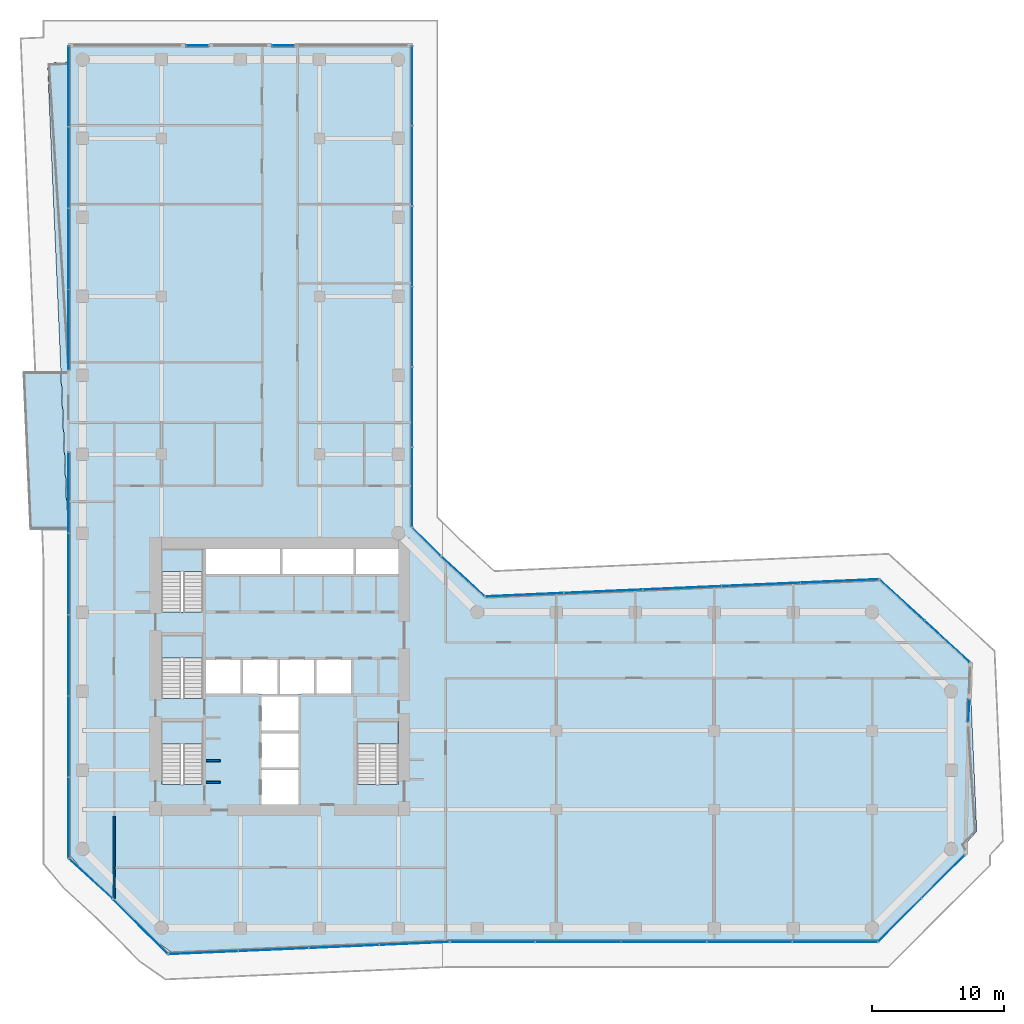
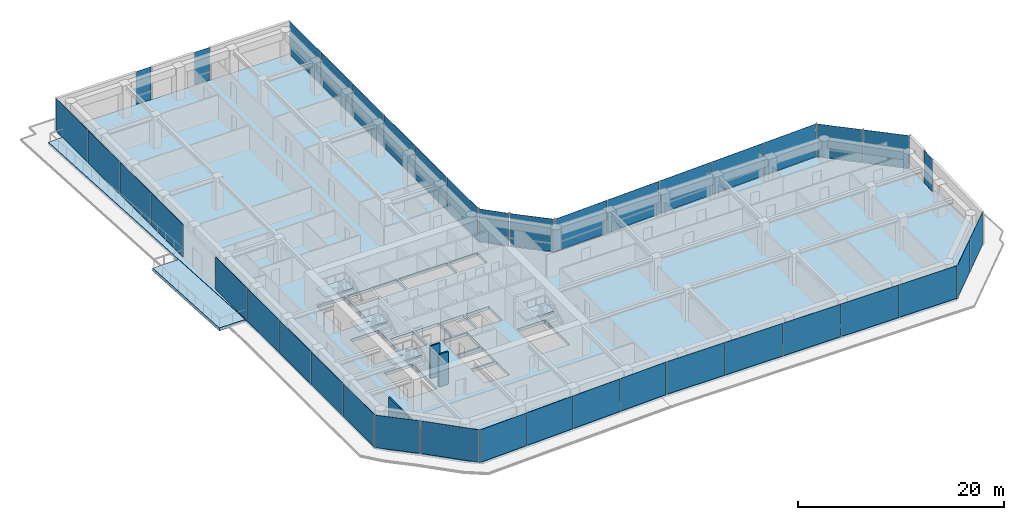
# One storey, part 22 of 29: 40 plates, 6 slabs, 4 walls, 19 elements without a shape of their own.
"""IFC4 building model written with IfcOpenShell, lengths in metres."""

from ifc_helpers import new_model, si_unit, direction, frame, frame_2d, origin, origin_2d, place, context, subcontext, project, spatial, polyline, rectangle, outline, extrude, material, layer, layer_set, type_object, element, aggregate, save


model = new_model("IFC4")

# Units and contexts
model_context = context("Model", 3, precision=1e-05, world=origin(), true_north=direction((0.0, 1.0)))
body_context = subcontext(model_context, "Body", "Model", "MODEL_VIEW")
ifc_project = project(units=[si_unit("LENGTHUNIT", "METRE"), si_unit("AREAUNIT", "SQUARE_METRE"), si_unit("VOLUMEUNIT", "CUBIC_METRE"), si_unit("PLANEANGLEUNIT", "RADIAN"), si_unit("MASSUNIT", "GRAM", prefix="KILO")], contexts=[model_context])

# Site, building, storey
site_placement = place(None, origin())
site = spatial("IfcSite", under=ifc_project, at=site_placement, CompositionType="ELEMENT")
building_placement = place(site_placement, origin())
building = spatial("IfcBuilding", under=site, at=building_placement, Name="Welwitschia Terrace Campus", CompositionType="ELEMENT")
storey_placement = place(building_placement, frame((0.0, 0.0, 62.60009765625)))
storey = spatial("IfcBuildingStorey", under=building, at=storey_placement, Name="L14", CompositionType="ELEMENT", Elevation=62.60009765625)

# Curtain wall, plate
ifc_material_1 = material(Name="Bronze anodised aluminium", Category="aluminium")
ifc_layer_1 = layer(ifc_material_1, 0.1201171875)
ifc_layer_set_1 = layer_set([ifc_layer_1], Name="Bronze anodised aluminium")
curtain_wall_type = type_object("IfcCurtainWallType", Name="Curtain wall CW2 tower 6000", PredefinedType="NOTDEFINED", material=ifc_layer_set_1)
curtain_wall_1_placement = place(storey_placement, origin())
curtain_wall_1 = element("IfcCurtainWall", 1, at=curtain_wall_1_placement, inside=storey, type_object=curtain_wall_type, Name="CW L14.0.0", PredefinedType="NOTDEFINED")
ifc_material_2 = material(Name="Tinted bronze-grey glass", Category="glass")
ifc_layer_2 = layer(ifc_material_2, 0.028076171875)
ifc_layer_set_2 = layer_set([ifc_layer_2], Name="Tinted bronze-grey glass")
plate_type = type_object("IfcPlateType", Name="Glass panel 28 tinted", PredefinedType="CURTAIN_PANEL", material=ifc_layer_set_2)
plate_1_placement = place(storey_placement, frame((0.621337890625, -0.258056640625, -0.000244140625), z_axis=(0.0, 0.0, 1.0), x_axis=(0.73727733681, -0.675590207616, 0.0)))
plate_1 = element("IfcPlate", 2, at=plate_1_placement, type_object=plate_type, Name="Panel L14.0.0.0", PredefinedType="CURTAIN_PANEL", context=body_context, shape_type="SweptSolid", body=[
    extrude(rectangle(XDim=4.435302734375, YDim=0.028076171875, at=origin_2d()), origin(), (0.0, 0.0, 1.0), 3.85009765625),
])
aggregate(curtain_wall_1, [plate_1])

curtain_wall_2_placement = place(storey_placement, origin())
curtain_wall_2 = element("IfcCurtainWall", 3, at=curtain_wall_2_placement, inside=storey, type_object=curtain_wall_type, Name="CW L14.1.0", PredefinedType="NOTDEFINED")
plate_2_placement = place(storey_placement, frame((4.398681640625, -3.894775390625, -0.000244140625), z_axis=(0.0, 0.0, 1.0), x_axis=(0.707106781187, -0.707106781187, 0.0)))
plate_2 = element("IfcPlate", 4, at=plate_2_placement, type_object=plate_type, Name="Panel L14.1.0.0", PredefinedType="CURTAIN_PANEL", context=body_context, shape_type="SweptSolid", body=[
    extrude(rectangle(XDim=5.814208984375, YDim=0.028076171875, at=origin_2d()), origin(), (0.0, 0.0, 1.0), 3.85009765625),
])
aggregate(curtain_wall_2, [plate_2])

# Curtain wall, plates
curtain_wall_3_placement = place(storey_placement, origin())
curtain_wall_3 = element("IfcCurtainWall", 5, at=curtain_wall_3_placement, inside=storey, type_object=curtain_wall_type, Name="CW L14.2.0", PredefinedType="NOTDEFINED")
plate_3_placement = place(storey_placement, frame((9.188232421875, -5.875244140625, -0.000244140625), z_axis=(0.0, 0.0, 1.0), x_axis=(0.999048221582, 0.043619387365, 0.0)))
plate_3 = element("IfcPlate", 6, at=plate_3_placement, type_object=plate_type, Name="Panel L14.2.0.0", PredefinedType="CURTAIN_PANEL", context=body_context, shape_type="SweptSolid", body=[
    extrude(rectangle(XDim=5.26806640625, YDim=0.028076171875, at=origin_2d()), origin(), (0.0, 0.0, 1.0), 3.85009765625),
])
plate_4_placement = place(storey_placement, frame((14.526123046875, -5.642333984375, -0.000244140625), z_axis=(0.0, 0.0, 1.0), x_axis=(0.999048221582, 0.043619387365, 0.0)))
plate_4 = element("IfcPlate", 7, at=plate_4_placement, type_object=plate_type, Name="Panel L14.2.0.1", PredefinedType="CURTAIN_PANEL", context=body_context, shape_type="SweptSolid", body=[
    extrude(rectangle(XDim=5.298095703125, YDim=0.028076171875, at=origin_2d()), origin(), (0.0, 0.0, 1.0), 3.85009765625),
])
plate_5_placement = place(storey_placement, frame((19.879150390625, -5.40869140625, -0.000244140625), z_axis=(0.0, 0.0, 1.0), x_axis=(0.999048221582, 0.043619387365, 0.0)))
plate_5 = element("IfcPlate", 8, at=plate_5_placement, type_object=plate_type, Name="Panel L14.2.0.2", PredefinedType="CURTAIN_PANEL", context=body_context, shape_type="SweptSolid", body=[
    extrude(rectangle(XDim=5.298095703125, YDim=0.028076171875, at=origin_2d()), origin(), (0.0, 0.0, 1.0), 3.85009765625),
])
plate_6_placement = place(storey_placement, frame((25.21728515625, -5.175537109375, -0.000244140625), z_axis=(0.0, 0.0, 1.0), x_axis=(0.999048221582, 0.043619387365, 0.0)))
plate_6 = element("IfcPlate", 9, at=plate_6_placement, type_object=plate_type, Name="Panel L14.2.0.3", PredefinedType="CURTAIN_PANEL", context=body_context, shape_type="SweptSolid", body=[
    extrude(rectangle(XDim=5.26806640625, YDim=0.028076171875, at=origin_2d()), origin(), (0.0, 0.0, 1.0), 3.85009765625),
])
aggregate(curtain_wall_3, [plate_3, plate_4, plate_5, plate_6])

curtain_wall_4_placement = place(storey_placement, origin())
curtain_wall_4 = element("IfcCurtainWall", 10, at=curtain_wall_4_placement, inside=storey, type_object=curtain_wall_type, Name="CW L14.3.0", PredefinedType="NOTDEFINED")
plate_7_placement = place(storey_placement, frame((31.1767578125, -5.05810546875, -0.000244140625), z_axis=(0.0, 0.0, 1.0), x_axis=(1.0, 0.0, 0.0)))
plate_7 = element("IfcPlate", 11, at=plate_7_placement, type_object=plate_type, Name="Panel L14.3.0.0", PredefinedType="CURTAIN_PANEL", context=body_context, shape_type="SweptSolid", body=[
    extrude(rectangle(XDim=6.416015625, YDim=0.028076171875, at=origin_2d()), origin(), (0.0, 0.0, 1.0), 3.85009765625),
])
plate_8_placement = place(storey_placement, frame((37.667724609375, -5.05810546875, -0.000244140625), z_axis=(0.0, 0.0, 1.0), x_axis=(1.0, 0.0, 0.0)))
plate_8 = element("IfcPlate", 12, at=plate_8_placement, type_object=plate_type, Name="Panel L14.3.0.1", PredefinedType="CURTAIN_PANEL", context=body_context, shape_type="SweptSolid", body=[
    extrude(rectangle(XDim=6.44580078125, YDim=0.028076171875, at=origin_2d()), origin(), (0.0, 0.0, 1.0), 3.85009765625),
])
plate_9_placement = place(storey_placement, frame((44.173583984375, -5.05810546875, -0.000244140625), z_axis=(0.0, 0.0, 1.0), x_axis=(1.0, 0.0, 0.0)))
plate_9 = element("IfcPlate", 13, at=plate_9_placement, type_object=plate_type, Name="Panel L14.3.0.2", PredefinedType="CURTAIN_PANEL", context=body_context, shape_type="SweptSolid", body=[
    extrude(rectangle(XDim=6.44580078125, YDim=0.028076171875, at=origin_2d()), origin(), (0.0, 0.0, 1.0), 3.85009765625),
])
plate_10_placement = place(storey_placement, frame((50.679443359375, -5.05810546875, -0.000244140625), z_axis=(0.0, 0.0, 1.0), x_axis=(1.0, 0.0, 0.0)))
plate_10 = element("IfcPlate", 14, at=plate_10_placement, type_object=plate_type, Name="Panel L14.3.0.3", PredefinedType="CURTAIN_PANEL", context=body_context, shape_type="SweptSolid", body=[
    extrude(rectangle(XDim=6.44580078125, YDim=0.028076171875, at=origin_2d()), origin(), (0.0, 0.0, 1.0), 3.85009765625),
])
plate_11_placement = place(storey_placement, frame((57.17041015625, -5.05810546875, -0.000244140625), z_axis=(0.0, 0.0, 1.0), x_axis=(1.0, 0.0, 0.0)))
plate_11 = element("IfcPlate", 15, at=plate_11_placement, type_object=plate_type, Name="Panel L14.3.0.4", PredefinedType="CURTAIN_PANEL", context=body_context, shape_type="SweptSolid", body=[
    extrude(rectangle(XDim=6.416015625, YDim=0.028076171875, at=origin_2d()), origin(), (0.0, 0.0, 1.0), 3.85009765625),
])
aggregate(curtain_wall_4, [plate_7, plate_8, plate_9, plate_10, plate_11])

curtain_wall_5_placement = place(storey_placement, origin())
curtain_wall_5 = element("IfcCurtainWall", 16, at=curtain_wall_5_placement, inside=storey, type_object=curtain_wall_type, Name="CW L14.4.0", PredefinedType="NOTDEFINED")
plate_12_placement = place(storey_placement, frame((62.103759765625, -3.392333984375, -0.000244140625), z_axis=(0.0, 0.0, 1.0), x_axis=(0.707106781187, 0.707106781187, 0.0)))
plate_12 = element("IfcPlate", 17, at=plate_12_placement, type_object=plate_type, Name="Panel L14.4.0.0", PredefinedType="CURTAIN_PANEL", context=body_context, shape_type="SweptSolid", body=[
    extrude(rectangle(XDim=4.5908203125, YDim=0.028076171875, at=origin_2d()), origin(), (0.0, 0.0, 1.0), 3.85009765625),
])
plate_13_placement = place(storey_placement, frame((65.392333984375, -0.103759765625, -0.000244140625), z_axis=(0.0, 0.0, 1.0), x_axis=(0.707106781187, 0.707106781187, 0.0)))
plate_13 = element("IfcPlate", 18, at=plate_13_placement, type_object=plate_type, Name="Panel L14.4.0.1", PredefinedType="CURTAIN_PANEL", context=body_context, shape_type="SweptSolid", body=[
    extrude(rectangle(XDim=4.5908203125, YDim=0.028076171875, at=origin_2d()), origin(), (0.0, 0.0, 1.0), 3.85009765625),
])
aggregate(curtain_wall_5, [plate_12, plate_13])

# Curtain wall, plate
curtain_wall_6_placement = place(storey_placement, origin())
curtain_wall_6 = element("IfcCurtainWall", 19, at=curtain_wall_6_placement, inside=storey, type_object=curtain_wall_type, Name="CW L14.5.S0", PredefinedType="NOTDEFINED")
plate_14_placement = place(storey_placement, frame((67.351806640625, 12.52783203125, -0.000244140625), z_axis=(0.0, 0.0, 1.0), x_axis=(0.026775942846, 0.999641460167, 0.0)))
plate_14 = element("IfcPlate", 20, at=plate_14_placement, type_object=plate_type, Name="Panel L14.5.S0.0", PredefinedType="CURTAIN_PANEL", context=body_context, shape_type="SweptSolid", body=[
    extrude(rectangle(XDim=1.679931640625, YDim=0.028076171875, at=origin_2d()), origin(), (0.0, 0.0, 1.0), 3.85009765625),
])
aggregate(curtain_wall_6, [plate_14])

# Curtain wall, plates
curtain_wall_7_placement = place(storey_placement, origin())
curtain_wall_7 = element("IfcCurtainWall", 21, at=curtain_wall_7_placement, inside=storey, type_object=curtain_wall_type, Name="CW L14.6.0", PredefinedType="NOTDEFINED")
plate_15_placement = place(storey_placement, frame((65.713134765625, 17.7744140625, -0.000244140625), z_axis=(0.0, 0.0, 1.0), x_axis=(-0.73727733681, 0.675590207616, 0.0)))
plate_15 = element("IfcPlate", 22, at=plate_15_placement, type_object=plate_type, Name="Panel L14.6.0.0", PredefinedType="CURTAIN_PANEL", context=body_context, shape_type="SweptSolid", body=[
    extrude(rectangle(XDim=4.5908203125, YDim=0.028076171875, at=origin_2d()), origin(), (0.0, 0.0, 1.0), 3.85009765625),
])
plate_16_placement = place(storey_placement, frame((62.283935546875, 20.91650390625, -0.000244140625), z_axis=(0.0, 0.0, 1.0), x_axis=(-0.73727733681, 0.675590207616, 0.0)))
plate_16 = element("IfcPlate", 23, at=plate_16_placement, type_object=plate_type, Name="Panel L14.6.0.1", PredefinedType="CURTAIN_PANEL", context=body_context, shape_type="SweptSolid", body=[
    extrude(rectangle(XDim=4.5908203125, YDim=0.028076171875, at=origin_2d()), origin(), (0.0, 0.0, 1.0), 3.85009765625),
])
aggregate(curtain_wall_7, [plate_15, plate_16])

curtain_wall_8_placement = place(storey_placement, origin())
curtain_wall_8 = element("IfcCurtainWall", 24, at=curtain_wall_8_placement, inside=storey, type_object=curtain_wall_type, Name="CW L14.7.0", PredefinedType="NOTDEFINED")
plate_17_placement = place(storey_placement, frame((57.535400390625, 22.37646484375, -0.000244140625), z_axis=(0.0, 0.0, 1.0), x_axis=(-0.999048221582, -0.043619387365, 0.0)))
plate_17 = element("IfcPlate", 25, at=plate_17_placement, type_object=plate_type, Name="Panel L14.7.0.0", PredefinedType="CURTAIN_PANEL", context=body_context, shape_type="SweptSolid", body=[
    extrude(rectangle(XDim=5.909912109375, YDim=0.028076171875, at=origin_2d()), origin(), (0.0, 0.0, 1.0), 3.85009765625),
])
plate_18_placement = place(storey_placement, frame((51.555908203125, 22.115234375, -0.000244140625), z_axis=(0.0, 0.0, 1.0), x_axis=(-0.999048221582, -0.043619387365, 0.0)))
plate_18 = element("IfcPlate", 26, at=plate_18_placement, type_object=plate_type, Name="Panel L14.7.0.1", PredefinedType="CURTAIN_PANEL", context=body_context, shape_type="SweptSolid", body=[
    extrude(rectangle(XDim=5.93994140625, YDim=0.028076171875, at=origin_2d()), origin(), (0.0, 0.0, 1.0), 3.85009765625),
])
plate_19_placement = place(storey_placement, frame((45.561767578125, 21.853515625, -0.000244140625), z_axis=(0.0, 0.0, 1.0), x_axis=(-0.999048221582, -0.043619387365, 0.0)))
plate_19 = element("IfcPlate", 27, at=plate_19_placement, type_object=plate_type, Name="Panel L14.7.0.2", PredefinedType="CURTAIN_PANEL", context=body_context, shape_type="SweptSolid", body=[
    extrude(rectangle(XDim=5.93994140625, YDim=0.028076171875, at=origin_2d()), origin(), (0.0, 0.0, 1.0), 3.85009765625),
])
plate_20_placement = place(storey_placement, frame((39.5673828125, 21.591796875, -0.000244140625), z_axis=(0.0, 0.0, 1.0), x_axis=(-0.999048221582, -0.043619387365, 0.0)))
plate_20 = element("IfcPlate", 28, at=plate_20_placement, type_object=plate_type, Name="Panel L14.7.0.3", PredefinedType="CURTAIN_PANEL", context=body_context, shape_type="SweptSolid", body=[
    extrude(rectangle(XDim=5.93994140625, YDim=0.028076171875, at=origin_2d()), origin(), (0.0, 0.0, 1.0), 3.85009765625),
])
plate_21_placement = place(storey_placement, frame((33.588134765625, 21.330810546875, -0.000244140625), z_axis=(0.0, 0.0, 1.0), x_axis=(-0.999048221582, -0.043619387365, 0.0)))
plate_21 = element("IfcPlate", 29, at=plate_21_placement, type_object=plate_type, Name="Panel L14.7.0.4", PredefinedType="CURTAIN_PANEL", context=body_context, shape_type="SweptSolid", body=[
    extrude(rectangle(XDim=5.909912109375, YDim=0.028076171875, at=origin_2d()), origin(), (0.0, 0.0, 1.0), 3.85009765625),
])
aggregate(curtain_wall_8, [plate_17, plate_18, plate_19, plate_20, plate_21])

# Curtain wall, plate
curtain_wall_9_placement = place(storey_placement, origin())
curtain_wall_9 = element("IfcCurtainWall", 30, at=curtain_wall_9_placement, inside=storey, type_object=curtain_wall_type, Name="CW L14.8.0", PredefinedType="NOTDEFINED")
plate_22_placement = place(storey_placement, frame((28.908203125, 22.7275390625, -0.000244140625), z_axis=(0.0, 0.0, 1.0), x_axis=(-0.73727733681, 0.675590207616, 0.0)))
plate_22 = element("IfcPlate", 31, at=plate_22_placement, type_object=plate_type, Name="Panel L14.8.0.0", PredefinedType="CURTAIN_PANEL", context=body_context, shape_type="SweptSolid", body=[
    extrude(rectangle(XDim=4.404052734375, YDim=0.028076171875, at=origin_2d()), origin(), (0.0, 0.0, 1.0), 3.85009765625),
])
aggregate(curtain_wall_9, [plate_22])

curtain_wall_10_placement = place(storey_placement, origin())
curtain_wall_10 = element("IfcCurtainWall", 32, at=curtain_wall_10_placement, inside=storey, type_object=curtain_wall_type, Name="CW L14.9.0", PredefinedType="NOTDEFINED")
plate_23_placement = place(storey_placement, frame((26.149169921875, 25.346923828125, -0.000244140625), z_axis=(0.0, 0.0, 1.0), x_axis=(-0.707106781187, 0.707106781187, 0.0)))
plate_23 = element("IfcPlate", 33, at=plate_23_placement, type_object=plate_type, Name="Panel L14.9.0.0", PredefinedType="CURTAIN_PANEL", context=body_context, shape_type="SweptSolid", body=[
    extrude(rectangle(XDim=2.966552734375, YDim=0.028076171875, at=origin_2d()), origin(), (0.0, 0.0, 1.0), 3.85009765625),
])
aggregate(curtain_wall_10, [plate_23])

# Curtain wall, plates
curtain_wall_11_placement = place(storey_placement, origin())
curtain_wall_11 = element("IfcCurtainWall", 34, at=curtain_wall_11_placement, inside=storey, type_object=curtain_wall_type, Name="CW L14.10.0", PredefinedType="NOTDEFINED")
plate_24_placement = place(storey_placement, frame((25.05810546875, 29.5048828125, -0.000244140625), z_axis=(0.0, 0.0, 1.0), x_axis=(0.0, 1.0, 0.0)))
plate_24 = element("IfcPlate", 35, at=plate_24_placement, type_object=plate_type, Name="Panel L14.10.0.0", PredefinedType="CURTAIN_PANEL", context=body_context, shape_type="SweptSolid", body=[
    extrude(rectangle(XDim=6.01318359375, YDim=0.028076171875, at=origin_2d()), origin(), (0.0, 0.0, 1.0), 3.85009765625),
])
plate_25_placement = place(storey_placement, frame((25.05810546875, 35.59326171875, -0.000244140625), z_axis=(0.0, 0.0, 1.0), x_axis=(0.0, 1.0, 0.0)))
plate_25 = element("IfcPlate", 36, at=plate_25_placement, type_object=plate_type, Name="Panel L14.10.0.1", PredefinedType="CURTAIN_PANEL", context=body_context, shape_type="SweptSolid", body=[
    extrude(rectangle(XDim=6.043212890625, YDim=0.028076171875, at=origin_2d()), origin(), (0.0, 0.0, 1.0), 3.85009765625),
])
plate_26_placement = place(storey_placement, frame((25.05810546875, 41.696533203125, -0.000244140625), z_axis=(0.0, 0.0, 1.0), x_axis=(0.0, 1.0, 0.0)))
plate_26 = element("IfcPlate", 37, at=plate_26_placement, type_object=plate_type, Name="Panel L14.10.0.2", PredefinedType="CURTAIN_PANEL", context=body_context, shape_type="SweptSolid", body=[
    extrude(rectangle(XDim=6.043212890625, YDim=0.028076171875, at=origin_2d()), origin(), (0.0, 0.0, 1.0), 3.85009765625),
])
plate_27_placement = place(storey_placement, frame((25.05810546875, 47.7998046875, -0.000244140625), z_axis=(0.0, 0.0, 1.0), x_axis=(0.0, 1.0, 0.0)))
plate_27 = element("IfcPlate", 38, at=plate_27_placement, type_object=plate_type, Name="Panel L14.10.0.3", PredefinedType="CURTAIN_PANEL", context=body_context, shape_type="SweptSolid", body=[
    extrude(rectangle(XDim=6.043212890625, YDim=0.028076171875, at=origin_2d()), origin(), (0.0, 0.0, 1.0), 3.85009765625),
])
plate_28_placement = place(storey_placement, frame((25.05810546875, 53.903076171875, -0.000244140625), z_axis=(0.0, 0.0, 1.0), x_axis=(0.0, 1.0, 0.0)))
plate_28 = element("IfcPlate", 39, at=plate_28_placement, type_object=plate_type, Name="Panel L14.10.0.4", PredefinedType="CURTAIN_PANEL", context=body_context, shape_type="SweptSolid", body=[
    extrude(rectangle(XDim=6.043212890625, YDim=0.028076171875, at=origin_2d()), origin(), (0.0, 0.0, 1.0), 3.85009765625),
])
plate_29_placement = place(storey_placement, frame((25.05810546875, 59.991455078125, -0.000244140625), z_axis=(0.0, 0.0, 1.0), x_axis=(0.0, 1.0, 0.0)))
plate_29 = element("IfcPlate", 40, at=plate_29_placement, type_object=plate_type, Name="Panel L14.10.0.5", PredefinedType="CURTAIN_PANEL", context=body_context, shape_type="SweptSolid", body=[
    extrude(rectangle(XDim=6.01318359375, YDim=0.028076171875, at=origin_2d()), origin(), (0.0, 0.0, 1.0), 3.85009765625),
])
aggregate(curtain_wall_11, [plate_24, plate_25, plate_26, plate_27, plate_28, plate_29])

# Curtain wall, plate
curtain_wall_12_placement = place(storey_placement, origin())
curtain_wall_12 = element("IfcCurtainWall", 41, at=curtain_wall_12_placement, inside=storey, type_object=curtain_wall_type, Name="CW L14.11.S0", PredefinedType="NOTDEFINED")
plate_30_placement = place(storey_placement, frame((15.264404296875, 63.05810546875, -0.000244140625), z_axis=(0.0, 0.0, 1.0), x_axis=(-1.0, 0.0, 0.0)))
plate_30 = element("IfcPlate", 42, at=plate_30_placement, type_object=plate_type, Name="Panel L14.11.S0.0", PredefinedType="CURTAIN_PANEL", context=body_context, shape_type="SweptSolid", body=[
    extrude(rectangle(XDim=1.679931640625, YDim=0.028076171875, at=origin_2d()), origin(), (0.0, 0.0, 1.0), 3.85009765625),
])
aggregate(curtain_wall_12, [plate_30])

curtain_wall_13_placement = place(storey_placement, origin())
curtain_wall_13 = element("IfcCurtainWall", 43, at=curtain_wall_13_placement, inside=storey, type_object=curtain_wall_type, Name="CW L14.11.S1", PredefinedType="NOTDEFINED")
plate_31_placement = place(storey_placement, frame((8.735595703125, 63.05810546875, -0.000244140625), z_axis=(0.0, 0.0, 1.0), x_axis=(-1.0, 0.0, 0.0)))
plate_31 = element("IfcPlate", 44, at=plate_31_placement, type_object=plate_type, Name="Panel L14.11.S1.0", PredefinedType="CURTAIN_PANEL", context=body_context, shape_type="SweptSolid", body=[
    extrude(rectangle(XDim=1.679931640625, YDim=0.028076171875, at=origin_2d()), origin(), (0.0, 0.0, 1.0), 3.85009765625),
])
aggregate(curtain_wall_13, [plate_31])

# Curtain wall, plates
curtain_wall_14_placement = place(storey_placement, origin())
curtain_wall_14 = element("IfcCurtainWall", 45, at=curtain_wall_14_placement, inside=storey, type_object=curtain_wall_type, Name="CW L14.12.0", PredefinedType="NOTDEFINED")
plate_32_placement = place(storey_placement, frame((-1.05810546875, 59.9541015625, -0.000244140625), z_axis=(0.0, 0.0, 1.0), x_axis=(0.0, -1.0, 0.0)))
plate_32 = element("IfcPlate", 46, at=plate_32_placement, type_object=plate_type, Name="Panel L14.12.0.0", PredefinedType="CURTAIN_PANEL", context=body_context, shape_type="SweptSolid", body=[
    extrude(rectangle(XDim=6.087646484375, YDim=0.028076171875, at=origin_2d()), origin(), (0.0, 0.0, 1.0), 3.85009765625),
])
plate_33_placement = place(storey_placement, frame((-1.05810546875, 53.79150390625, -0.000244140625), z_axis=(0.0, 0.0, 1.0), x_axis=(0.0, -1.0, 0.0)))
plate_33 = element("IfcPlate", 47, at=plate_33_placement, type_object=plate_type, Name="Panel L14.12.0.1", PredefinedType="CURTAIN_PANEL", context=body_context, shape_type="SweptSolid", body=[
    extrude(rectangle(XDim=6.11767578125, YDim=0.028076171875, at=origin_2d()), origin(), (0.0, 0.0, 1.0), 3.85009765625),
])
plate_34_placement = place(storey_placement, frame((-1.05810546875, 47.61376953125, -0.000244140625), z_axis=(0.0, 0.0, 1.0), x_axis=(0.0, -1.0, 0.0)))
plate_34 = element("IfcPlate", 48, at=plate_34_placement, type_object=plate_type, Name="Panel L14.12.0.2", PredefinedType="CURTAIN_PANEL", context=body_context, shape_type="SweptSolid", body=[
    extrude(rectangle(XDim=6.11767578125, YDim=0.028076171875, at=origin_2d()), origin(), (0.0, 0.0, 1.0), 3.85009765625),
])
plate_35_placement = place(storey_placement, frame((-1.05810546875, 41.450927734375, -0.000244140625), z_axis=(0.0, 0.0, 1.0), x_axis=(0.0, -1.0, 0.0)))
plate_35 = element("IfcPlate", 49, at=plate_35_placement, type_object=plate_type, Name="Panel L14.12.0.3", PredefinedType="CURTAIN_PANEL", context=body_context, shape_type="SweptSolid", body=[
    extrude(rectangle(XDim=6.087646484375, YDim=0.028076171875, at=origin_2d()), origin(), (0.0, 0.0, 1.0), 3.85009765625),
])
aggregate(curtain_wall_14, [plate_32, plate_33, plate_34, plate_35])

curtain_wall_15_placement = place(storey_placement, origin())
curtain_wall_15 = element("IfcCurtainWall", 50, at=curtain_wall_15_placement, inside=storey, type_object=curtain_wall_type, Name="CW L14.12.5", PredefinedType="NOTDEFINED")
plate_36_placement = place(storey_placement, frame((-1.05810546875, 29.0654296875, -0.000244140625), z_axis=(0.0, 0.0, 1.0), x_axis=(0.0, -1.0, 0.0)))
plate_36 = element("IfcPlate", 51, at=plate_36_placement, type_object=plate_type, Name="Panel L14.12.5.0", PredefinedType="CURTAIN_PANEL", context=body_context, shape_type="SweptSolid", body=[
    extrude(rectangle(XDim=6.087646484375, YDim=0.028076171875, at=origin_2d()), origin(), (0.0, 0.0, 1.0), 3.85009765625),
])
plate_37_placement = place(storey_placement, frame((-1.05810546875, 22.90283203125, -0.000244140625), z_axis=(0.0, 0.0, 1.0), x_axis=(0.0, -1.0, 0.0)))
plate_37 = element("IfcPlate", 52, at=plate_37_placement, type_object=plate_type, Name="Panel L14.12.5.1", PredefinedType="CURTAIN_PANEL", context=body_context, shape_type="SweptSolid", body=[
    extrude(rectangle(XDim=6.11767578125, YDim=0.028076171875, at=origin_2d()), origin(), (0.0, 0.0, 1.0), 3.85009765625),
])
plate_38_placement = place(storey_placement, frame((-1.05810546875, 16.72509765625, -0.000244140625), z_axis=(0.0, 0.0, 1.0), x_axis=(0.0, -1.0, 0.0)))
plate_38 = element("IfcPlate", 53, at=plate_38_placement, type_object=plate_type, Name="Panel L14.12.5.2", PredefinedType="CURTAIN_PANEL", context=body_context, shape_type="SweptSolid", body=[
    extrude(rectangle(XDim=6.11767578125, YDim=0.028076171875, at=origin_2d()), origin(), (0.0, 0.0, 1.0), 3.85009765625),
])
plate_39_placement = place(storey_placement, frame((-1.05810546875, 10.54736328125, -0.000244140625), z_axis=(0.0, 0.0, 1.0), x_axis=(0.0, -1.0, 0.0)))
plate_39 = element("IfcPlate", 54, at=plate_39_placement, type_object=plate_type, Name="Panel L14.12.5.3", PredefinedType="CURTAIN_PANEL", context=body_context, shape_type="SweptSolid", body=[
    extrude(rectangle(XDim=6.11767578125, YDim=0.028076171875, at=origin_2d()), origin(), (0.0, 0.0, 1.0), 3.85009765625),
])
plate_40_placement = place(storey_placement, frame((-1.05810546875, 4.384521484375, -0.000244140625), z_axis=(0.0, 0.0, 1.0), x_axis=(0.0, -1.0, 0.0)))
plate_40 = element("IfcPlate", 55, at=plate_40_placement, type_object=plate_type, Name="Panel L14.12.5.4", PredefinedType="CURTAIN_PANEL", context=body_context, shape_type="SweptSolid", body=[
    extrude(rectangle(XDim=6.087646484375, YDim=0.028076171875, at=origin_2d()), origin(), (0.0, 0.0, 1.0), 3.85009765625),
])
aggregate(curtain_wall_15, [plate_36, plate_37, plate_38, plate_39, plate_40])

# Stair, slab
ifc_material_3 = material(Name="Concrete C40/50", Category="concrete")
stair_type = type_object("IfcStairType", Name="Stair 24R 175 W1500", PredefinedType="HALF_TURN_STAIR", material=ifc_material_3)
stair_1_placement = place(storey_placement, origin())
stair_1 = element("IfcStair", 56, at=stair_1_placement, inside=storey, type_object=stair_type, Name="L14 Exit stair S1", PredefinedType="HALF_TURN_STAIR")
ifc_material_4 = material(Name="Concrete C40/50", Category="concrete")
ifc_layer_3 = layer(ifc_material_4, 0.199951171875)
ifc_layer_set_3 = layer_set([ifc_layer_3], Name="Concrete C40/50")
slab_type_1 = type_object("IfcSlabType", Name="Stair landing RC", PredefinedType="LANDING", material=ifc_layer_set_3)
slab_1_placement = place(storey_placement, frame((0.0, 0.0, 1.89990234375)))
slab_1 = element("IfcSlab", 57, at=slab_1_placement, type_object=slab_type_1, Name="S1 landing 1", PredefinedType="LANDING", context=body_context, shape_type="SweptSolid", body=[
    extrude(outline(polyline([(9.14990234375, 9.97998046875), (9.14990234375, 11.699951171875), (6.0, 11.699951171875), (6.0, 9.97998046875), (9.14990234375, 9.97998046875)])), origin(), (0.0, 0.0, 1.0), 0.199951171875),
])
aggregate(stair_1, [slab_1])

stair_2_placement = place(storey_placement, origin())
stair_2 = element("IfcStair", 58, at=stair_2_placement, inside=storey, type_object=stair_type, Name="L14 Exit stair S3", PredefinedType="HALF_TURN_STAIR")
slab_2_placement = place(storey_placement, frame((0.0, 0.0, 1.89990234375)))
slab_2 = element("IfcSlab", 59, at=slab_2_placement, type_object=slab_type_1, Name="S3 landing 1", PredefinedType="LANDING", context=body_context, shape_type="SweptSolid", body=[
    extrude(outline(polyline([(9.14990234375, 16.530029296875), (9.14990234375, 18.25), (6.0, 18.25), (6.0, 16.530029296875), (9.14990234375, 16.530029296875)])), origin(), (0.0, 0.0, 1.0), 0.199951171875),
])
aggregate(stair_2, [slab_2])

stair_3_placement = place(storey_placement, origin())
stair_3 = element("IfcStair", 60, at=stair_3_placement, inside=storey, type_object=stair_type, Name="L14 Exit stair S4", PredefinedType="HALF_TURN_STAIR")
slab_3_placement = place(storey_placement, frame((0.0, 0.0, 1.89990234375)))
slab_3 = element("IfcSlab", 61, at=slab_3_placement, type_object=slab_type_1, Name="S4 landing 1", PredefinedType="LANDING", context=body_context, shape_type="SweptSolid", body=[
    extrude(outline(polyline([(9.14990234375, 23.080078125), (9.14990234375, 24.800048828125), (6.0, 24.800048828125), (6.0, 23.080078125), (9.14990234375, 23.080078125)])), origin(), (0.0, 0.0, 1.0), 0.199951171875),
])
aggregate(stair_3, [slab_3])

stair_4_placement = place(storey_placement, origin())
stair_4 = element("IfcStair", 62, at=stair_4_placement, inside=storey, type_object=stair_type, Name="L14 Exit stair S2", PredefinedType="HALF_TURN_STAIR")
slab_4_placement = place(storey_placement, frame((0.0, 0.0, 1.89990234375)))
slab_4 = element("IfcSlab", 63, at=slab_4_placement, type_object=slab_type_1, Name="S2 landing 1", PredefinedType="LANDING", context=body_context, shape_type="SweptSolid", body=[
    extrude(outline(polyline([(24.0, 9.97998046875), (24.0, 11.699951171875), (20.85009765625, 11.699951171875), (20.85009765625, 9.97998046875), (24.0, 9.97998046875)])), origin(), (0.0, 0.0, 1.0), 0.199951171875),
])
aggregate(stair_4, [slab_4])

# Slabs
ifc_material_5 = material(Name="Concrete C40/50", Category="concrete")
ifc_layer_4 = layer(ifc_material_5, 0.35009765625)
ifc_layer_set_4 = layer_set([ifc_layer_4], Name="Concrete C40/50")
slab_type_2 = type_object("IfcSlabType", Name="Suspended floor slab 350", PredefinedType="FLOOR", material=ifc_layer_set_4)
slab_5_placement = place(storey_placement, frame((0.0, 0.0, -0.35009765625)))
element("IfcSlab", 64, at=slab_5_placement, inside=storey, type_object=slab_type_2, Name="Floor slab L14", PredefinedType="FLOOR", context=body_context, shape_type="SweptSolid", body=[
    extrude(outline(polyline([(-1.114501953125, 26.291015625), (-1.099609375, 26.29150390625), (-1.62353515625, 38.295654296875), (-1.638671875, 38.294921875), (-2.661865234375, 61.72998046875), (-1.0, 61.802734375), (-1.0, 63.0), (25.0, 63.0), (25.0, 26.414306640625), (27.200439453125, 24.2138671875), (30.554443359375, 21.140380859375), (60.52587890625, 22.448974609375), (67.392822265625, 16.15673828125), (67.952392578125, 3.340576171875), (67.0, 2.30126953125), (67.0, 1.585693359375), (60.414306640625, -5.0), (27.907470703125, -5.0), (6.8837890625, -5.91796875), (5.585693359375, -5.0), (2.340576171875, -1.7548828125), (0.01708984375, 0.374267578125), (-1.0, 1.585693359375), (-1.0, 23.668212890625), (-1.114501953125, 26.291015625)]), holes=[polyline([(13.60009765625, 5.39990234375), (16.39990234375, 5.39990234375), (16.39990234375, 8.0), (13.60009765625, 8.0), (13.60009765625, 5.39990234375)]), polyline([(6.0, 11.699951171875), (6.0, 6.902099609375), (9.14990234375, 6.902099609375), (9.14990234375, 11.699951171875), (6.0, 11.699951171875)]), polyline([(9.39990234375, 16.39990234375), (9.39990234375, 13.800048828125), (12.0, 13.800048828125), (12.0, 16.39990234375), (9.39990234375, 16.39990234375)]), polyline([(12.199951171875, 16.39990234375), (12.199951171875, 13.800048828125), (14.800048828125, 13.800048828125), (14.800048828125, 16.39990234375), (12.199951171875, 16.39990234375)]), polyline([(6.0, 18.25), (6.0, 13.451904296875), (9.14990234375, 13.451904296875), (9.14990234375, 18.25), (6.0, 18.25)]), polyline([(6.0, 24.800048828125), (6.0, 20.001953125), (9.14990234375, 20.001953125), (9.14990234375, 24.800048828125), (6.0, 24.800048828125)]), polyline([(9.39990234375, 24.800048828125), (9.39990234375, 22.89990234375), (15.0, 22.89990234375), (15.0, 24.800048828125), (9.39990234375, 24.800048828125)]), polyline([(20.85009765625, 6.902099609375), (24.0, 6.902099609375), (24.0, 11.699951171875), (20.85009765625, 11.699951171875), (20.85009765625, 6.902099609375)]), polyline([(13.60009765625, 10.800048828125), (13.60009765625, 8.199951171875), (16.39990234375, 8.199951171875), (16.39990234375, 10.800048828125), (13.60009765625, 10.800048828125)]), polyline([(13.60009765625, 13.60009765625), (13.60009765625, 11.0), (16.39990234375, 11.0), (16.39990234375, 13.60009765625), (13.60009765625, 13.60009765625)]), polyline([(15.0, 16.39990234375), (15.0, 13.800048828125), (17.60009765625, 13.800048828125), (17.60009765625, 16.39990234375), (15.0, 16.39990234375)]), polyline([(17.800048828125, 16.39990234375), (17.800048828125, 13.800048828125), (20.39990234375, 13.800048828125), (20.39990234375, 16.39990234375), (17.800048828125, 16.39990234375)]), polyline([(15.199951171875, 24.800048828125), (15.199951171875, 22.89990234375), (20.60009765625, 22.89990234375), (20.60009765625, 24.800048828125), (15.199951171875, 24.800048828125)]), polyline([(20.800048828125, 24.800048828125), (20.800048828125, 22.89990234375), (24.0, 22.89990234375), (24.0, 24.800048828125), (20.800048828125, 24.800048828125)])]), origin(), (0.0, 0.0, 1.0), 0.35009765625),
])
ifc_material_6 = material(Name="Concrete C40/50", Category="concrete")
ifc_layer_5 = layer(ifc_material_6, 0.35009765625)
ifc_layer_set_5 = layer_set([ifc_layer_5], Name="Concrete C40/50")
slab_type_3 = type_object("IfcSlabType", Name="Terrace slab 350", PredefinedType="FLOOR", material=ifc_layer_set_5)
slab_6_placement = place(storey_placement, frame((0.0, 0.0, -0.35009765625)))
element("IfcSlab", 65, at=slab_6_placement, inside=storey, type_object=slab_type_3, Name="Terrace slab", PredefinedType="FLOOR", context=body_context, shape_type="SweptSolid", body=[
    extrude(outline(polyline([(-4.017333984375, 26.29296875), (-4.541259765625, 38.29296875), (-1.653564453125, 38.29296875), (-1.129638671875, 26.29296875), (-4.017333984375, 26.29296875)])), origin(), (0.0, 0.0, 1.0), 0.35009765625),
])

# Walls
ifc_material_7 = material(Name="Concrete C50/60", Category="concrete")
ifc_layer_6 = layer(ifc_material_7, 0.14990234375)
ifc_layer_set_6 = layer_set([ifc_layer_6], Name="Concrete C50/60")
wall_type_1 = type_object("IfcWallType", Name="Core wall 150 Concrete C50/60", PredefinedType="SHEAR", material=ifc_layer_set_6)
for number, where, z_axis, x_axis, name in (
    (66, (9.39990234375, 7.074951171875, 0.0), (0.0, 0.0, 1.0), (1.0, 0.0, 0.0), "Core wall"),
    (67, (9.39990234375, 8.72509765625, 0.0), (0.0, 0.0, 1.0), (1.0, 0.0, 0.0), "Core wall"),
):
    element("IfcWall", number, at=place(storey_placement, frame(where, z_axis=z_axis, x_axis=x_axis)), inside=storey, type_object=wall_type_1, Name=name, PredefinedType="SHEAR", context=body_context, shape_type="SweptSolid", body=[
        extrude(rectangle(XDim=1.050048828125, YDim=0.14990234375, at=frame_2d((0.52490234375, 0.0))), origin(), (0.0, 0.0, 1.0), 3.849853515625),
    ])
ifc_material_8 = material(Name="Gypsum board on steel studs", Category="steel")
ifc_layer_7 = layer(ifc_material_8, 0.14990234375)
ifc_layer_set_7 = layer_set([ifc_layer_7], Name="Gypsum board on steel studs")
wall_type_2 = type_object("IfcWallType", Name="Corridor partition 150 EI 30", PredefinedType="PARTITIONING", material=ifc_layer_set_7)
wall_1_placement = place(storey_placement, frame((2.39990234375, -1.7529296875, 0.0), z_axis=(0.0, 0.0, 1.0), x_axis=(0.0, 1.0, 0.0)))
element("IfcWall", 68, at=wall_1_placement, inside=storey, type_object=wall_type_2, Name="Partition", PredefinedType="PARTITIONING", context=body_context, shape_type="SweptSolid", body=[
    extrude(rectangle(XDim=2.35302734375, YDim=0.14990234375, at=frame_2d((1.176513671875, 0.0))), origin(), (0.0, 0.0, 1.0), 2.829833984375),
])
wall_2_placement = place(storey_placement, frame((2.39990234375, 0.60009765625, 0.0), z_axis=(0.0, 0.0, 1.0), x_axis=(0.0, 1.0, 0.0)))
element("IfcWall", 69, at=wall_2_placement, inside=storey, type_object=wall_type_2, Name="Partition", PredefinedType="PARTITIONING", context=body_context, shape_type="SweptSolid", body=[
    extrude(rectangle(XDim=3.89990234375, YDim=0.14990234375, at=frame_2d((1.949951171875, 0.0))), origin(), (0.0, 0.0, 1.0), 2.829833984375),
])

save(model, "model.ifc")
